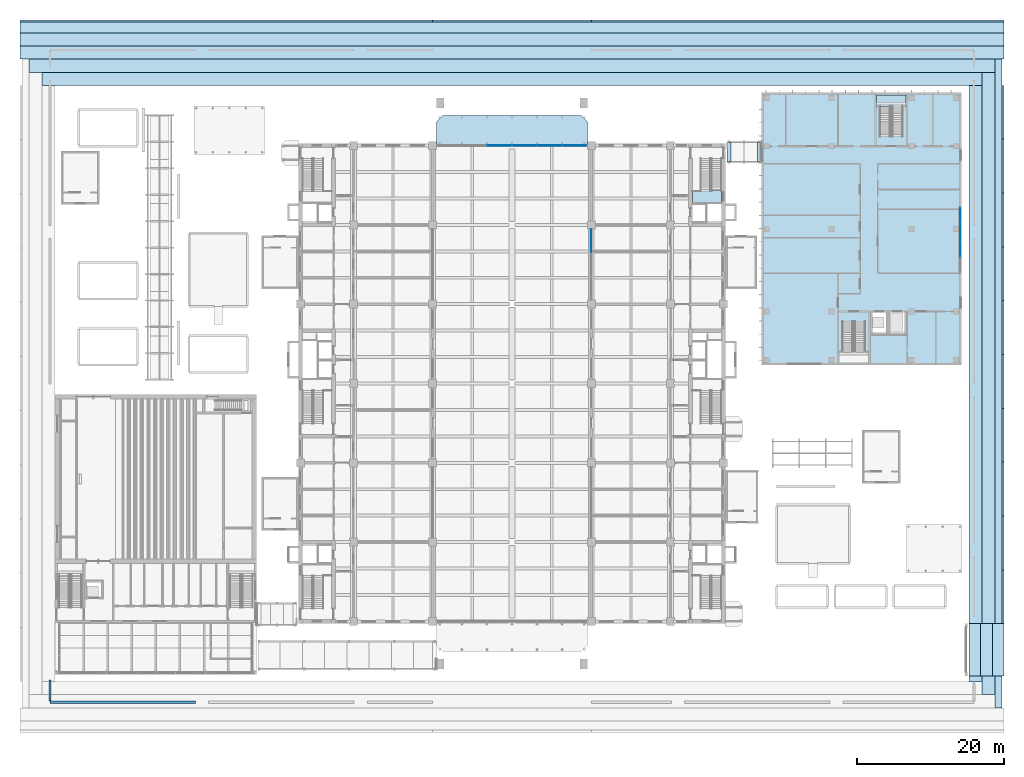
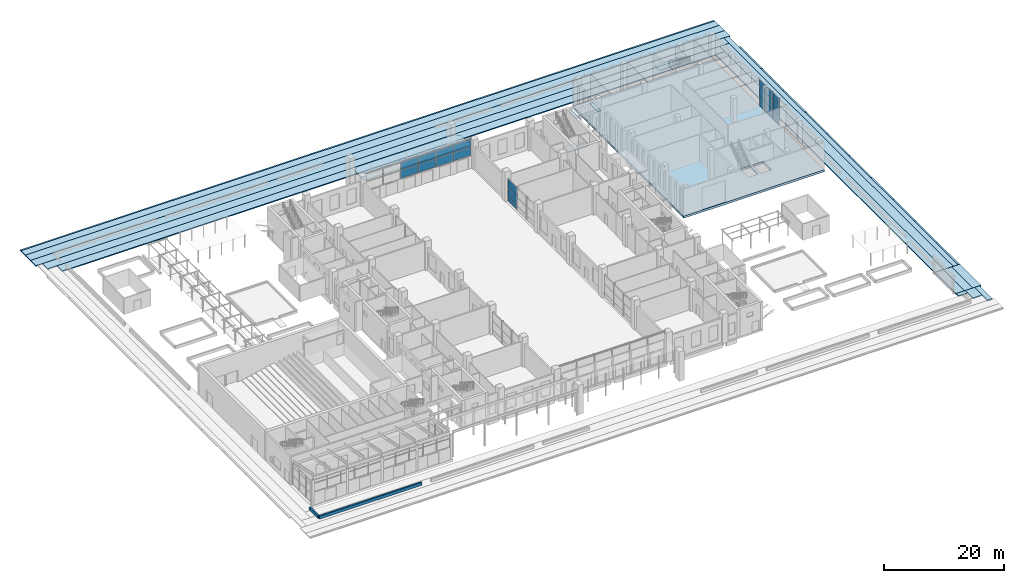
# One storey, part 44 of 71: 31 slabs, 22 plates, 2 walls, 5 elements without a shape of their own.
"""IFC4 building model written with IfcOpenShell, lengths in metres."""

from ifc_helpers import new_model, si_unit, direction, frame, frame_2d, origin, origin_2d, place, context, subcontext, project, spatial, polyline, rectangle, outline, extrude, material, layer, layer_set, type_object, element, aggregate, save


model = new_model("IFC4")

# Units and contexts
model_context = context("Model", 3, precision=1e-05, world=origin(), true_north=direction((0.0, 1.0)))
body_context = subcontext(model_context, "Body", "Model", "MODEL_VIEW")
ifc_project = project(units=[si_unit("LENGTHUNIT", "METRE"), si_unit("AREAUNIT", "SQUARE_METRE"), si_unit("VOLUMEUNIT", "CUBIC_METRE"), si_unit("PLANEANGLEUNIT", "RADIAN"), si_unit("MASSUNIT", "GRAM", prefix="KILO")], contexts=[model_context])

# Site, building, storey
site_placement = place(None, origin())
site = spatial("IfcSite", under=ifc_project, at=site_placement, CompositionType="ELEMENT")
building_placement = place(site_placement, origin())
building = spatial("IfcBuilding", under=site, at=building_placement, Name="Basin Gate Institute", CompositionType="ELEMENT")
storey_placement = place(building_placement, origin())
storey = spatial("IfcBuildingStorey", under=building, at=storey_placement, Name="L00", CompositionType="ELEMENT", Elevation=0.0)

# Curtain wall, plates
ifc_material_1 = material(Name="Aluminium and glass curtain wall", Category="aluminium")
ifc_layer_1 = layer(ifc_material_1, 0.14990234375)
ifc_layer_set_1 = layer_set([ifc_layer_1], Name="Atrium curtain wall CW81")
curtain_wall_type_1 = type_object("IfcCurtainWallType", Name="Atrium curtain wall CW81", PredefinedType="NOTDEFINED", material=ifc_layer_set_1)
curtain_wall_1_placement = place(storey_placement, origin())
curtain_wall_1 = element("IfcCurtainWall", 1, at=curtain_wall_1_placement, inside=storey, type_object=curtain_wall_type_1, material=ifc_layer_set_1, Name="Clean block viewing gallery glazing", PredefinedType="NOTDEFINED")
ifc_material_2 = material(Name="Toughened glass", Category="glass")
ifc_layer_2 = layer(ifc_material_2, 0.028076171875)
ifc_layer_set_2 = layer_set([ifc_layer_2], Name="Atrium glass panel PN81")
plate_type_1 = type_object("IfcPlateType", Name="Atrium glass panel PN81", PredefinedType="CURTAIN_PANEL", material=ifc_layer_set_2)
plate_1_placement = place(storey_placement, frame((151.050048828125, 85.875, 0.06005859375), z_axis=(0.0, 0.0, 1.0), x_axis=(0.0, 1.0, 0.0)))
plate_1 = element("IfcPlate", 2, at=plate_1_placement, type_object=plate_type_1, material=ifc_layer_set_2, Name="CW81 panel 2.1", PredefinedType="CURTAIN_PANEL", context=body_context, shape_type="SweptSolid", body=[
    extrude(rectangle(XDim=2.18994140625, YDim=0.028076171875, at=origin_2d()), origin(), (0.0, 0.0, 1.0), 1.909912109375),
])
plate_2_placement = place(storey_placement, frame((151.050048828125, 85.875, 2.030029296875), z_axis=(0.0, 0.0, 1.0), x_axis=(0.0, 1.0, 0.0)))
plate_2 = element("IfcPlate", 3, at=plate_2_placement, type_object=plate_type_1, material=ifc_layer_set_2, Name="CW81 panel 2.2", PredefinedType="CURTAIN_PANEL", context=body_context, shape_type="SweptSolid", body=[
    extrude(rectangle(XDim=2.18994140625, YDim=0.028076171875, at=origin_2d()), origin(), (0.0, 0.0, 1.0), 1.93994140625),
])
plate_3_placement = place(storey_placement, frame((151.050048828125, 85.875, 4.030029296875), z_axis=(0.0, 0.0, 1.0), x_axis=(0.0, 1.0, 0.0)))
plate_3 = element("IfcPlate", 4, at=plate_3_placement, type_object=plate_type_1, material=ifc_layer_set_2, Name="CW81 panel 2.3", PredefinedType="CURTAIN_PANEL", context=body_context, shape_type="SweptSolid", body=[
    extrude(rectangle(XDim=2.18994140625, YDim=0.028076171875, at=origin_2d()), origin(), (0.0, 0.0, 1.0), 1.4599609375),
])
plate_4_placement = place(storey_placement, frame((151.050048828125, 88.125, 0.06005859375), z_axis=(0.0, 0.0, 1.0), x_axis=(0.0, 1.0, 0.0)))
plate_4 = element("IfcPlate", 5, at=plate_4_placement, type_object=plate_type_1, material=ifc_layer_set_2, Name="CW81 panel 3.1", PredefinedType="CURTAIN_PANEL", context=body_context, shape_type="SweptSolid", body=[
    extrude(rectangle(XDim=2.18994140625, YDim=0.028076171875, at=origin_2d()), origin(), (0.0, 0.0, 1.0), 1.909912109375),
])
plate_5_placement = place(storey_placement, frame((151.050048828125, 88.125, 2.030029296875), z_axis=(0.0, 0.0, 1.0), x_axis=(0.0, 1.0, 0.0)))
plate_5 = element("IfcPlate", 6, at=plate_5_placement, type_object=plate_type_1, material=ifc_layer_set_2, Name="CW81 panel 3.2", PredefinedType="CURTAIN_PANEL", context=body_context, shape_type="SweptSolid", body=[
    extrude(rectangle(XDim=2.18994140625, YDim=0.028076171875, at=origin_2d()), origin(), (0.0, 0.0, 1.0), 1.93994140625),
])
plate_6_placement = place(storey_placement, frame((151.050048828125, 88.125, 4.030029296875), z_axis=(0.0, 0.0, 1.0), x_axis=(0.0, 1.0, 0.0)))
plate_6 = element("IfcPlate", 7, at=plate_6_placement, type_object=plate_type_1, material=ifc_layer_set_2, Name="CW81 panel 3.3", PredefinedType="CURTAIN_PANEL", context=body_context, shape_type="SweptSolid", body=[
    extrude(rectangle(XDim=2.18994140625, YDim=0.028076171875, at=origin_2d()), origin(), (0.0, 0.0, 1.0), 1.4599609375),
])
plate_7_placement = place(storey_placement, frame((151.050048828125, 90.360107421875, 0.06005859375), z_axis=(0.0, 0.0, 1.0), x_axis=(0.0, 1.0, 0.0)))
plate_7 = element("IfcPlate", 8, at=plate_7_placement, type_object=plate_type_1, material=ifc_layer_set_2, Name="CW81 panel 4.1", PredefinedType="CURTAIN_PANEL", context=body_context, shape_type="SweptSolid", body=[
    extrude(rectangle(XDim=2.159912109375, YDim=0.028076171875, at=origin_2d()), origin(), (0.0, 0.0, 1.0), 1.909912109375),
])
plate_8_placement = place(storey_placement, frame((151.050048828125, 90.360107421875, 2.030029296875), z_axis=(0.0, 0.0, 1.0), x_axis=(0.0, 1.0, 0.0)))
plate_8 = element("IfcPlate", 9, at=plate_8_placement, type_object=plate_type_1, material=ifc_layer_set_2, Name="CW81 panel 4.2", PredefinedType="CURTAIN_PANEL", context=body_context, shape_type="SweptSolid", body=[
    extrude(rectangle(XDim=2.159912109375, YDim=0.028076171875, at=origin_2d()), origin(), (0.0, 0.0, 1.0), 1.93994140625),
])
plate_9_placement = place(storey_placement, frame((151.050048828125, 90.360107421875, 4.030029296875), z_axis=(0.0, 0.0, 1.0), x_axis=(0.0, 1.0, 0.0)))
plate_9 = element("IfcPlate", 10, at=plate_9_placement, type_object=plate_type_1, material=ifc_layer_set_2, Name="CW81 panel 4.3", PredefinedType="CURTAIN_PANEL", context=body_context, shape_type="SweptSolid", body=[
    extrude(rectangle(XDim=2.159912109375, YDim=0.028076171875, at=origin_2d()), origin(), (0.0, 0.0, 1.0), 1.4599609375),
])
aggregate(curtain_wall_1, [plate_1, plate_2, plate_3, plate_4, plate_5, plate_6, plate_7, plate_8, plate_9])

curtain_wall_2_placement = place(storey_placement, origin())
curtain_wall_2 = element("IfcCurtainWall", 11, at=curtain_wall_2_placement, inside=storey, type_object=curtain_wall_type_1, material=ifc_layer_set_1, Name="Atrium end screen N L00", PredefinedType="NOTDEFINED")
plate_10_placement = place(storey_placement, frame((88.291748046875, 99.89990234375, 2.659912109375), z_axis=(0.0, 0.0, 1.0), x_axis=(1.0, 0.0, 0.0)))
plate_10 = element("IfcPlate", 12, at=plate_10_placement, type_object=plate_type_1, material=ifc_layer_set_2, Name="CW81 panel 3.1", PredefinedType="CURTAIN_PANEL", context=body_context, shape_type="SweptSolid", body=[
    extrude(rectangle(XDim=3.356689453125, YDim=0.028076171875, at=origin_2d()), origin(), (0.0, 0.0, 1.0), 1.7099609375),
])
plate_11_placement = place(storey_placement, frame((88.291748046875, 99.89990234375, 4.43017578125), z_axis=(0.0, 0.0, 1.0), x_axis=(1.0, 0.0, 0.0)))
plate_11 = element("IfcPlate", 13, at=plate_11_placement, type_object=plate_type_1, material=ifc_layer_set_2, Name="CW81 panel 3.2", PredefinedType="CURTAIN_PANEL", context=body_context, shape_type="SweptSolid", body=[
    extrude(rectangle(XDim=3.356689453125, YDim=0.028076171875, at=origin_2d()), origin(), (0.0, 0.0, 1.0), 1.510009765625),
])
plate_12_placement = place(storey_placement, frame((91.708251953125, 99.89990234375, 2.659912109375), z_axis=(0.0, 0.0, 1.0), x_axis=(1.0, 0.0, 0.0)))
plate_12 = element("IfcPlate", 14, at=plate_12_placement, type_object=plate_type_1, material=ifc_layer_set_2, Name="CW81 panel 4.1", PredefinedType="CURTAIN_PANEL", context=body_context, shape_type="SweptSolid", body=[
    extrude(rectangle(XDim=3.356689453125, YDim=0.028076171875, at=origin_2d()), origin(), (0.0, 0.0, 1.0), 1.7099609375),
])
plate_13_placement = place(storey_placement, frame((91.708251953125, 99.89990234375, 4.43017578125), z_axis=(0.0, 0.0, 1.0), x_axis=(1.0, 0.0, 0.0)))
plate_13 = element("IfcPlate", 15, at=plate_13_placement, type_object=plate_type_1, material=ifc_layer_set_2, Name="CW81 panel 4.2", PredefinedType="CURTAIN_PANEL", context=body_context, shape_type="SweptSolid", body=[
    extrude(rectangle(XDim=3.356689453125, YDim=0.028076171875, at=origin_2d()), origin(), (0.0, 0.0, 1.0), 1.510009765625),
])
plate_14_placement = place(storey_placement, frame((95.125, 99.89990234375, 2.659912109375), z_axis=(0.0, 0.0, 1.0), x_axis=(1.0, 0.0, 0.0)))
plate_14 = element("IfcPlate", 16, at=plate_14_placement, type_object=plate_type_1, material=ifc_layer_set_2, Name="CW81 panel 5.1", PredefinedType="CURTAIN_PANEL", context=body_context, shape_type="SweptSolid", body=[
    extrude(rectangle(XDim=3.356689453125, YDim=0.028076171875, at=origin_2d()), origin(), (0.0, 0.0, 1.0), 1.7099609375),
])
plate_15_placement = place(storey_placement, frame((95.125, 99.89990234375, 4.43017578125), z_axis=(0.0, 0.0, 1.0), x_axis=(1.0, 0.0, 0.0)))
plate_15 = element("IfcPlate", 17, at=plate_15_placement, type_object=plate_type_1, material=ifc_layer_set_2, Name="CW81 panel 5.2", PredefinedType="CURTAIN_PANEL", context=body_context, shape_type="SweptSolid", body=[
    extrude(rectangle(XDim=3.356689453125, YDim=0.028076171875, at=origin_2d()), origin(), (0.0, 0.0, 1.0), 1.510009765625),
])
plate_16_placement = place(storey_placement, frame((98.526611328125, 99.89990234375, 2.659912109375), z_axis=(0.0, 0.0, 1.0), x_axis=(1.0, 0.0, 0.0)))
plate_16 = element("IfcPlate", 18, at=plate_16_placement, type_object=plate_type_1, material=ifc_layer_set_2, Name="CW81 panel 6.1", PredefinedType="CURTAIN_PANEL", context=body_context, shape_type="SweptSolid", body=[
    extrude(rectangle(XDim=3.32666015625, YDim=0.028076171875, at=origin_2d()), origin(), (0.0, 0.0, 1.0), 1.7099609375),
])
plate_17_placement = place(storey_placement, frame((98.526611328125, 99.89990234375, 4.43017578125), z_axis=(0.0, 0.0, 1.0), x_axis=(1.0, 0.0, 0.0)))
plate_17 = element("IfcPlate", 19, at=plate_17_placement, type_object=plate_type_1, material=ifc_layer_set_2, Name="CW81 panel 6.2", PredefinedType="CURTAIN_PANEL", context=body_context, shape_type="SweptSolid", body=[
    extrude(rectangle(XDim=3.32666015625, YDim=0.028076171875, at=origin_2d()), origin(), (0.0, 0.0, 1.0), 1.510009765625),
])
aggregate(curtain_wall_2, [plate_10, plate_11, plate_12, plate_13, plate_14, plate_15, plate_16, plate_17])

# Stair, slab
ifc_material_3 = material(Name="Concrete 40 MPa", Category="concrete")
stair_type_1 = type_object("IfcStairType", Name="Block stair ST", PredefinedType="HALF_TURN_STAIR", material=ifc_material_3)
stair_1_placement = place(storey_placement, origin())
stair_1 = element("IfcStair", 20, at=stair_1_placement, inside=storey, type_object=stair_type_1, material=ifc_material_3, Name="Clean block stair ST-C5 L00", PredefinedType="HALF_TURN_STAIR")
ifc_material_4 = material(Name="Concrete 40 MPa", Category="concrete")
ifc_layer_3 = layer(ifc_material_4, 0.199951171875)
ifc_layer_set_3 = layer_set([ifc_layer_3], Name="Concrete 40 MPa")
slab_type_1 = type_object("IfcSlabType", Name="Block stair landing", PredefinedType="LANDING", material=ifc_layer_set_3)
slab_1_placement = place(storey_placement, frame((0.0, 0.0, 2.800048828125)))
slab_1 = element("IfcSlab", 21, at=slab_1_placement, type_object=slab_type_1, material=ifc_layer_set_3, Name="ST-C5 landing 1", PredefinedType="LANDING", context=body_context, shape_type="SweptSolid", body=[
    extrude(outline(polyline([(139.625, 105.1650390625), (143.675048828125, 105.1650390625), (143.675048828125, 106.800048828125), (139.625, 106.800048828125), (139.625, 105.1650390625)])), origin(), (0.0, 0.0, 1.0), 0.199951171875),
])
aggregate(stair_1, [slab_1])

# Slabs
ifc_material_5 = material(Name="Concrete 35 MPa", Category="concrete")
ifc_layer_4 = layer(ifc_material_5, 0.300048828125)
ifc_layer_set_4 = layer_set([ifc_layer_4], Name="Concrete 35 MPa")
slab_type_2 = type_object("IfcSlabType", Name="Driveway apron SL61", PredefinedType="FLOOR", material=ifc_layer_set_4)
slab_2_placement = place(storey_placement, frame((0.0, 0.0, -0.300048828125)))
element("IfcSlab", 22, at=slab_2_placement, inside=storey, type_object=slab_type_2, material=ifc_layer_set_4, Name="Driveway apron R1 bay 1", PredefinedType="FLOOR", context=body_context, shape_type="SweptSolid", body=[
    extrude(outline(polyline([(152.199951171875, 27.699951171875), (153.800048828125, 27.699951171875), (153.800048828125, 34.800048828125), (152.199951171875, 34.800048828125), (152.199951171875, 27.699951171875)])), origin(), (0.0, 0.0, 1.0), 0.300048828125),
])
slab_3_placement = place(storey_placement, frame((0.0, 0.0, -0.300048828125)))
element("IfcSlab", 23, at=slab_3_placement, inside=storey, type_object=slab_type_2, material=ifc_layer_set_4, Name="Driveway apron R1 bay 2", PredefinedType="FLOOR", context=body_context, shape_type="SweptSolid", body=[
    extrude(outline(polyline([(153.800048828125, 27.699951171875), (155.39990234375, 27.699951171875), (155.39990234375, 34.800048828125), (153.800048828125, 34.800048828125), (153.800048828125, 27.699951171875)])), origin(), (0.0, 0.0, 1.0), 0.300048828125),
])
slab_4_placement = place(storey_placement, frame((0.0, 0.0, -0.300048828125)))
element("IfcSlab", 24, at=slab_4_placement, inside=storey, type_object=slab_type_2, material=ifc_layer_set_4, Name="Driveway apron R1 bay 3", PredefinedType="FLOOR", context=body_context, shape_type="SweptSolid", body=[
    extrude(outline(polyline([(155.39990234375, 27.699951171875), (157.0, 27.699951171875), (157.0, 34.800048828125), (155.39990234375, 34.800048828125), (155.39990234375, 27.699951171875)])), origin(), (0.0, 0.0, 1.0), 0.300048828125),
])
ifc_material_6 = material(Name="Granite kerb 300 x 200", Category="masonry")
ifc_layer_5 = layer(ifc_material_6, 0.199951171875)
ifc_layer_set_5 = layer_set([ifc_layer_5], Name="Granite kerb strip KB1")
slab_type_3 = type_object("IfcSlabType", Name="Granite kerb strip KB1", PredefinedType="FLOOR", material=ifc_layer_set_5)
slab_5_placement = place(storey_placement, frame((0.0, 0.0, -0.199951171875)))
element("IfcSlab", 25, at=slab_5_placement, inside=storey, type_object=slab_type_3, material=ifc_layer_set_5, Name="Granite kerb strip N4", PredefinedType="FLOOR", context=body_context, shape_type="SweptSolid", body=[
    extrude(outline(polyline([(23.0, 116.699951171875), (23.0, 117.0), (79.199951171875, 117.0), (79.199951171875, 116.699951171875), (23.0, 116.699951171875)])), origin(), (0.0, 0.0, 1.0), 0.199951171875),
])
slab_6_placement = place(storey_placement, frame((0.0, 0.0, -0.199951171875)))
element("IfcSlab", 26, at=slab_6_placement, inside=storey, type_object=slab_type_3, material=ifc_layer_set_5, Name="Granite kerb strip N5", PredefinedType="FLOOR", context=body_context, shape_type="SweptSolid", body=[
    extrude(outline(polyline([(100.800048828125, 116.699951171875), (100.800048828125, 117.0), (157.0, 117.0), (157.0, 116.699951171875), (100.800048828125, 116.699951171875)])), origin(), (0.0, 0.0, 1.0), 0.199951171875),
])
slab_7_placement = place(storey_placement, frame((0.0, 0.0, -0.199951171875)))
element("IfcSlab", 27, at=slab_7_placement, inside=storey, type_object=slab_type_3, material=ifc_layer_set_5, Name="Granite kerb strip E19", PredefinedType="FLOOR", context=body_context, shape_type="SweptSolid", body=[
    extrude(outline(polyline([(156.699951171875, 34.800048828125), (156.699951171875, 42.1298828125), (157.0, 42.1298828125), (157.0, 34.800048828125), (156.699951171875, 34.800048828125)])), origin(), (0.0, 0.0, 1.0), 0.199951171875),
])
slab_8_placement = place(storey_placement, frame((0.0, 0.0, -0.199951171875)))
element("IfcSlab", 28, at=slab_8_placement, inside=storey, type_object=slab_type_3, material=ifc_layer_set_5, Name="Granite kerb strip E20", PredefinedType="FLOOR", context=body_context, shape_type="SweptSolid", body=[
    extrude(outline(polyline([(156.699951171875, 42.1298828125), (156.699951171875, 49.4599609375), (157.0, 49.4599609375), (157.0, 42.1298828125), (156.699951171875, 42.1298828125)])), origin(), (0.0, 0.0, 1.0), 0.199951171875),
])
slab_9_placement = place(storey_placement, frame((0.0, 0.0, -0.199951171875)))
element("IfcSlab", 29, at=slab_9_placement, inside=storey, type_object=slab_type_3, material=ifc_layer_set_5, Name="Granite kerb strip E21", PredefinedType="FLOOR", context=body_context, shape_type="SweptSolid", body=[
    extrude(outline(polyline([(156.699951171875, 49.4599609375), (156.699951171875, 56.7900390625), (157.0, 56.7900390625), (157.0, 49.4599609375), (156.699951171875, 49.4599609375)])), origin(), (0.0, 0.0, 1.0), 0.199951171875),
])
slab_10_placement = place(storey_placement, frame((0.0, 0.0, -0.199951171875)))
element("IfcSlab", 30, at=slab_10_placement, inside=storey, type_object=slab_type_3, material=ifc_layer_set_5, Name="Granite kerb strip E22", PredefinedType="FLOOR", context=body_context, shape_type="SweptSolid", body=[
    extrude(outline(polyline([(156.699951171875, 56.7900390625), (156.699951171875, 64.1201171875), (157.0, 64.1201171875), (157.0, 56.7900390625), (156.699951171875, 56.7900390625)])), origin(), (0.0, 0.0, 1.0), 0.199951171875),
])
slab_11_placement = place(storey_placement, frame((0.0, 0.0, -0.199951171875)))
element("IfcSlab", 31, at=slab_11_placement, inside=storey, type_object=slab_type_3, material=ifc_layer_set_5, Name="Granite kerb strip E23", PredefinedType="FLOOR", context=body_context, shape_type="SweptSolid", body=[
    extrude(outline(polyline([(156.699951171875, 64.1201171875), (156.699951171875, 71.449951171875), (157.0, 71.449951171875), (157.0, 64.1201171875), (156.699951171875, 64.1201171875)])), origin(), (0.0, 0.0, 1.0), 0.199951171875),
])
slab_12_placement = place(storey_placement, frame((0.0, 0.0, -0.199951171875)))
element("IfcSlab", 32, at=slab_12_placement, inside=storey, type_object=slab_type_3, material=ifc_layer_set_5, Name="Granite kerb strip E24", PredefinedType="FLOOR", context=body_context, shape_type="SweptSolid", body=[
    extrude(outline(polyline([(156.699951171875, 71.449951171875), (156.699951171875, 78.780029296875), (157.0, 78.780029296875), (157.0, 71.449951171875), (156.699951171875, 71.449951171875)])), origin(), (0.0, 0.0, 1.0), 0.199951171875),
])
slab_13_placement = place(storey_placement, frame((0.0, 0.0, -0.199951171875)))
element("IfcSlab", 33, at=slab_13_placement, inside=storey, type_object=slab_type_3, material=ifc_layer_set_5, Name="Granite kerb strip E25", PredefinedType="FLOOR", context=body_context, shape_type="SweptSolid", body=[
    extrude(outline(polyline([(156.699951171875, 78.780029296875), (156.699951171875, 86.110107421875), (157.0, 86.110107421875), (157.0, 78.780029296875), (156.699951171875, 78.780029296875)])), origin(), (0.0, 0.0, 1.0), 0.199951171875),
])
slab_14_placement = place(storey_placement, frame((0.0, 0.0, -0.199951171875)))
element("IfcSlab", 34, at=slab_14_placement, inside=storey, type_object=slab_type_3, material=ifc_layer_set_5, Name="Granite kerb strip E26", PredefinedType="FLOOR", context=body_context, shape_type="SweptSolid", body=[
    extrude(outline(polyline([(156.699951171875, 86.110107421875), (156.699951171875, 93.43994140625), (157.0, 93.43994140625), (157.0, 86.110107421875), (156.699951171875, 86.110107421875)])), origin(), (0.0, 0.0, 1.0), 0.199951171875),
])
slab_15_placement = place(storey_placement, frame((0.0, 0.0, -0.199951171875)))
element("IfcSlab", 35, at=slab_15_placement, inside=storey, type_object=slab_type_3, material=ifc_layer_set_5, Name="Granite kerb strip E27", PredefinedType="FLOOR", context=body_context, shape_type="SweptSolid", body=[
    extrude(outline(polyline([(156.699951171875, 93.43994140625), (156.699951171875, 100.77001953125), (157.0, 100.77001953125), (157.0, 93.43994140625), (156.699951171875, 93.43994140625)])), origin(), (0.0, 0.0, 1.0), 0.199951171875),
])
slab_16_placement = place(storey_placement, frame((0.0, 0.0, -0.199951171875)))
element("IfcSlab", 36, at=slab_16_placement, inside=storey, type_object=slab_type_3, material=ifc_layer_set_5, Name="Granite kerb strip E28", PredefinedType="FLOOR", context=body_context, shape_type="SweptSolid", body=[
    extrude(outline(polyline([(156.699951171875, 100.77001953125), (156.699951171875, 108.10009765625), (157.0, 108.10009765625), (157.0, 100.77001953125), (156.699951171875, 100.77001953125)])), origin(), (0.0, 0.0, 1.0), 0.199951171875),
])
ifc_material_7 = material(Name="Aluminium canopy roof panel", Category="aluminium")
ifc_layer_6 = layer(ifc_material_7, 0.14990234375)
ifc_layer_set_6 = layer_set([ifc_layer_6], Name="Main entrance canopy CN2")
slab_type_4 = type_object("IfcSlabType", Name="Main entrance canopy CN2", PredefinedType="ROOF", material=ifc_layer_set_6)
slab_17_placement = place(storey_placement, frame((0.0, 0.0, 4.5)))
element("IfcSlab", 37, at=slab_17_placement, inside=storey, type_object=slab_type_4, material=ifc_layer_set_6, Name="Main entrance canopy north", PredefinedType="ROOF", context=body_context, shape_type="SweptSolid", body=[
    extrude(outline(polyline([(79.75, 100.0), (100.25, 100.0), (100.25, 103.199951171875), (99.449951171875, 104.0), (80.550048828125, 104.0), (79.75, 103.199951171875), (79.75, 100.0)])), origin(), (0.0, 0.0, 1.0), 0.14990234375),
])

# Plates
ifc_material_8 = material(Name="Stainless steel sliding cover plate", Category="steel")
ifc_layer_7 = layer(ifc_material_8, 0.006103515625)
ifc_layer_set_7 = layer_set([ifc_layer_7], Name="Stainless steel sliding cover plate")
plate_type_2 = type_object("IfcPlateType", Name="Passage joint cover JC2", PredefinedType="SHEET", material=ifc_layer_set_7)
for number, where, z_axis, x_axis, name in (
    (38, (119.550048828125, 99.02490234375, 4.7939453125), (0.0, 0.0, 1.0), (1.0, 0.0, 0.0), "East court passage joint cover 1"),
    (39, (123.699951171875, 99.02490234375, 4.7939453125), (0.0, 0.0, 1.0), (1.0, 0.0, 0.0), "East court passage joint cover 2"),
):
    element("IfcPlate", number, at=place(storey_placement, frame(where, z_axis=z_axis, x_axis=x_axis)), inside=storey, type_object=plate_type_2, material=ifc_layer_set_7, Name=name, PredefinedType="SHEET", context=body_context, shape_type="SweptSolid", body=[
        extrude(rectangle(XDim=0.60009765625, YDim=2.75, at=origin_2d()), origin(), (0.0, 0.0, 1.0), 0.006103515625),
    ])

# Slabs
ifc_material_9 = material(Name="Concrete 35 MPa", Category="concrete")
ifc_layer_8 = layer(ifc_material_9, 0.199951171875)
ifc_layer_set_8 = layer_set([ifc_layer_8], Name="Concrete 35 MPa")
slab_type_5 = type_object("IfcSlabType", Name="Site paving slab SL62", PredefinedType="FLOOR", material=ifc_layer_set_8)
slab_18_placement = place(storey_placement, frame((0.0, 0.0, -0.199951171875)))
element("IfcSlab", 40, at=slab_18_placement, inside=storey, type_object=slab_type_5, material=ifc_layer_set_8, Name="Site paving slab 1N1", PredefinedType="FLOOR", context=body_context, shape_type="SweptSolid", body=[
    extrude(outline(polyline([(26.02001953125, 108.10009765625), (26.02001953125, 109.8798828125), (153.97998046875, 109.8798828125), (153.97998046875, 108.10009765625), (26.02001953125, 108.10009765625)])), origin(), (0.0, 0.0, 1.0), 0.199951171875),
])
slab_19_placement = place(storey_placement, frame((0.0, 0.0, -0.199951171875)))
element("IfcSlab", 41, at=slab_19_placement, inside=storey, type_object=slab_type_5, material=ifc_layer_set_8, Name="Site paving slab 1E1", PredefinedType="FLOOR", context=body_context, shape_type="SweptSolid", body=[
    extrude(outline(polyline([(152.199951171875, 26.89990234375), (152.199951171875, 27.699951171875), (153.97998046875, 27.699951171875), (153.97998046875, 26.89990234375), (152.199951171875, 26.89990234375)])), origin(), (0.0, 0.0, 1.0), 0.199951171875),
])
slab_20_placement = place(storey_placement, frame((0.0, 0.0, -0.199951171875)))
element("IfcSlab", 42, at=slab_20_placement, inside=storey, type_object=slab_type_5, material=ifc_layer_set_8, Name="Site paving slab 1E2", PredefinedType="FLOOR", context=body_context, shape_type="SweptSolid", body=[
    extrude(outline(polyline([(152.199951171875, 34.800048828125), (152.199951171875, 108.10009765625), (153.97998046875, 108.10009765625), (153.97998046875, 34.800048828125), (152.199951171875, 34.800048828125)])), origin(), (0.0, 0.0, 1.0), 0.199951171875),
])
slab_21_placement = place(storey_placement, frame((0.0, 0.0, -0.199951171875)))
element("IfcSlab", 43, at=slab_21_placement, inside=storey, type_object=slab_type_5, material=ifc_layer_set_8, Name="Site paving slab 2N1", PredefinedType="FLOOR", context=body_context, shape_type="SweptSolid", body=[
    extrude(outline(polyline([(24.239990234375, 109.8798828125), (24.239990234375, 111.659912109375), (155.760009765625, 111.659912109375), (155.760009765625, 109.8798828125), (24.239990234375, 109.8798828125)])), origin(), (0.0, 0.0, 1.0), 0.199951171875),
])
slab_22_placement = place(storey_placement, frame((0.0, 0.0, -0.199951171875)))
element("IfcSlab", 44, at=slab_22_placement, inside=storey, type_object=slab_type_5, material=ifc_layer_set_8, Name="Site paving slab 2E1", PredefinedType="FLOOR", context=body_context, shape_type="SweptSolid", body=[
    extrude(outline(polyline([(153.97998046875, 25.1201171875), (153.97998046875, 27.699951171875), (155.760009765625, 27.699951171875), (155.760009765625, 25.1201171875), (153.97998046875, 25.1201171875)])), origin(), (0.0, 0.0, 1.0), 0.199951171875),
])
slab_23_placement = place(storey_placement, frame((0.0, 0.0, -0.199951171875)))
element("IfcSlab", 45, at=slab_23_placement, inside=storey, type_object=slab_type_5, material=ifc_layer_set_8, Name="Site paving slab 2E2", PredefinedType="FLOOR", context=body_context, shape_type="SweptSolid", body=[
    extrude(outline(polyline([(153.97998046875, 34.800048828125), (153.97998046875, 109.8798828125), (155.760009765625, 109.8798828125), (155.760009765625, 34.800048828125), (153.97998046875, 34.800048828125)])), origin(), (0.0, 0.0, 1.0), 0.199951171875),
])
slab_24_placement = place(storey_placement, frame((0.0, 0.0, -0.199951171875)))
element("IfcSlab", 46, at=slab_24_placement, inside=storey, type_object=slab_type_5, material=ifc_layer_set_8, Name="Site paving slab 3N1", PredefinedType="FLOOR", context=body_context, shape_type="SweptSolid", body=[
    extrude(outline(polyline([(23.0, 111.659912109375), (23.0, 113.43994140625), (157.0, 113.43994140625), (157.0, 111.659912109375), (23.0, 111.659912109375)])), origin(), (0.0, 0.0, 1.0), 0.199951171875),
])
slab_25_placement = place(storey_placement, frame((0.0, 0.0, -0.199951171875)))
element("IfcSlab", 47, at=slab_25_placement, inside=storey, type_object=slab_type_5, material=ifc_layer_set_8, Name="Site paving slab 3E1", PredefinedType="FLOOR", context=body_context, shape_type="SweptSolid", body=[
    extrude(outline(polyline([(155.760009765625, 23.340087890625), (155.760009765625, 27.699951171875), (156.699951171875, 27.699951171875), (156.699951171875, 23.340087890625), (155.760009765625, 23.340087890625)])), origin(), (0.0, 0.0, 1.0), 0.199951171875),
])
slab_26_placement = place(storey_placement, frame((0.0, 0.0, -0.199951171875)))
element("IfcSlab", 48, at=slab_26_placement, inside=storey, type_object=slab_type_5, material=ifc_layer_set_8, Name="Site paving slab 3E2", PredefinedType="FLOOR", context=body_context, shape_type="SweptSolid", body=[
    extrude(outline(polyline([(155.760009765625, 34.800048828125), (155.760009765625, 111.659912109375), (156.699951171875, 111.659912109375), (156.699951171875, 34.800048828125), (155.760009765625, 34.800048828125)])), origin(), (0.0, 0.0, 1.0), 0.199951171875),
])
slab_27_placement = place(storey_placement, frame((0.0, 0.0, -0.199951171875)))
element("IfcSlab", 49, at=slab_27_placement, inside=storey, type_object=slab_type_5, material=ifc_layer_set_8, Name="Site paving slab 4N1", PredefinedType="FLOOR", context=body_context, shape_type="SweptSolid", body=[
    extrude(outline(polyline([(23.0, 113.43994140625), (23.0, 115.219970703125), (157.0, 115.219970703125), (157.0, 113.43994140625), (23.0, 113.43994140625)])), origin(), (0.0, 0.0, 1.0), 0.199951171875),
])
slab_28_placement = place(storey_placement, frame((0.0, 0.0, -0.199951171875)))
element("IfcSlab", 50, at=slab_28_placement, inside=storey, type_object=slab_type_5, material=ifc_layer_set_8, Name="Site paving slab 5N1", PredefinedType="FLOOR", context=body_context, shape_type="SweptSolid", body=[
    extrude(outline(polyline([(23.0, 115.219970703125), (23.0, 116.699951171875), (157.0, 116.699951171875), (157.0, 115.219970703125), (23.0, 115.219970703125)])), origin(), (0.0, 0.0, 1.0), 0.199951171875),
])
ifc_material_10 = material(Name="Concrete 40 MPa", Category="concrete")
ifc_layer_9 = layer(ifc_material_10, 0.449951171875)
ifc_layer_set_9 = layer_set([ifc_layer_9], Name="Concrete 40 MPa")
slab_type_6 = type_object("IfcSlabType", Name="Slab SL2 R180", PredefinedType="FLOOR", material=ifc_layer_set_9)
slab_29_placement = place(storey_placement, frame((0.0, 0.0, -0.449951171875)))
element("IfcSlab", 51, at=slab_29_placement, inside=storey, type_object=slab_type_6, material=ifc_layer_set_9, Name="Clean block floor slab R180 L00", PredefinedType="FLOOR", context=body_context, shape_type="SweptSolid", body=[
    extrude(outline(polyline([(124.0, 107.10009765625), (124.0, 70.0), (151.199951171875, 70.0), (151.199951171875, 107.10009765625), (124.0, 107.10009765625)]), holes=[polyline([(139.074951171875, 74.425048828125), (139.074951171875, 77.175048828125), (140.97509765625, 77.175048828125), (140.97509765625, 74.425048828125), (139.074951171875, 74.425048828125)]), polyline([(141.47509765625, 74.425048828125), (141.47509765625, 77.175048828125), (143.47509765625, 77.175048828125), (143.47509765625, 74.425048828125), (141.47509765625, 74.425048828125)])]), origin(), (0.0, 0.0, 1.0), 0.449951171875),
])

# Curtain wall, plates
ifc_material_11 = material(Name="Fire-resistant glazing in steel-free frame", Category="steel")
ifc_layer_10 = layer(ifc_material_11, 0.199951171875)
ifc_layer_set_10 = layer_set([ifc_layer_10], Name="Fire-resistant glazing in steel-free frame")
curtain_wall_type_2 = type_object("IfcCurtainWallType", Name="Atrium rated curtain wall CW3", PredefinedType="NOTDEFINED", material=ifc_layer_set_10)
curtain_wall_3_placement = place(storey_placement, origin())
curtain_wall_3 = element("IfcCurtainWall", 52, at=curtain_wall_3_placement, inside=storey, type_object=curtain_wall_type_2, material=ifc_layer_set_10, Name="Atrium rated curtain wall E wing atrium bay 5 L00", PredefinedType="NOTDEFINED")
ifc_material_12 = material(Name="Fire-resisting board panel")
ifc_layer_11 = layer(ifc_material_12, 0.050048828125)
ifc_layer_set_11 = layer_set([ifc_layer_11], Name="Spandrel panel PN4")
plate_type_3 = type_object("IfcPlateType", Name="Spandrel panel PN4", PredefinedType="CURTAIN_PANEL", material=ifc_layer_set_11)
plate_18_placement = place(storey_placement, frame((100.800048828125, 86.918212890625, 0.06005859375), z_axis=(0.0, 0.0, 1.0), x_axis=(0.0, 1.0, 0.0)))
plate_18 = element("IfcPlate", 53, at=plate_18_placement, type_object=plate_type_3, material=ifc_layer_set_11, Name="CW3 spandrel panel 3.1", PredefinedType="CURTAIN_PANEL", context=body_context, shape_type="SweptSolid", body=[
    extrude(rectangle(XDim=3.143310546875, YDim=0.050048828125, at=origin_2d()), origin(), (0.0, 0.0, 1.0), 0.81005859375),
])
plate_19_placement = place(storey_placement, frame((100.800048828125, 86.918212890625, 2.72998046875), z_axis=(0.0, 0.0, 1.0), x_axis=(0.0, 1.0, 0.0)))
plate_19 = element("IfcPlate", 54, at=plate_19_placement, type_object=plate_type_3, material=ifc_layer_set_11, Name="CW3 spandrel panel 3.3", PredefinedType="CURTAIN_PANEL", context=body_context, shape_type="SweptSolid", body=[
    extrude(rectangle(XDim=3.143310546875, YDim=0.050048828125, at=origin_2d()), origin(), (0.0, 0.0, 1.0), 1.81005859375),
])

# Stair, slab
ifc_material_13 = material(Name="Concrete 40 MPa", Category="concrete")
stair_type_2 = type_object("IfcStairType", Name="Stair ST", PredefinedType="HALF_TURN_STAIR", material=ifc_material_13)
stair_2_placement = place(storey_placement, origin())
stair_2 = element("IfcStair", 55, at=stair_2_placement, inside=storey, type_object=stair_type_2, material=ifc_material_13, Name="Special safe stair ST-EN L00", PredefinedType="HALF_TURN_STAIR")
ifc_material_14 = material(Name="Concrete 40 MPa", Category="concrete")
ifc_layer_12 = layer(ifc_material_14, 0.199951171875)
ifc_layer_set_12 = layer_set([ifc_layer_12], Name="Concrete 40 MPa")
slab_type_7 = type_object("IfcSlabType", Name="Stair landing LN REI 180", PredefinedType="LANDING", material=ifc_layer_set_12)
slab_30_placement = place(storey_placement, frame((0.0, 0.0, 2.800048828125)))
slab_30 = element("IfcSlab", 56, at=slab_30_placement, type_object=slab_type_7, material=ifc_layer_set_12, Name="Stair landing ST-EN-L1 L00", PredefinedType="LANDING", context=body_context, shape_type="SweptSolid", body=[
    extrude(outline(polyline([(118.550048828125, 93.7900390625), (114.550048828125, 93.7900390625), (114.550048828125, 92.14990234375), (118.550048828125, 92.14990234375), (118.550048828125, 93.7900390625)])), origin(), (0.0, 0.0, 1.0), 0.199951171875),
])
aggregate(stair_2, [slab_30])

# Slab
ifc_material_15 = material(Name="Tactile concrete paving", Category="concrete")
ifc_layer_13 = layer(ifc_material_15, 0.199951171875)
ifc_layer_set_13 = layer_set([ifc_layer_13], Name="Tactile concrete paving")
slab_type_8 = type_object("IfcSlabType", Name="Tactile paving strip TP1", PredefinedType="FLOOR", material=ifc_layer_set_13)
slab_31_placement = place(storey_placement, frame((0.0, 0.0, -0.199951171875)))
element("IfcSlab", 57, at=slab_31_placement, inside=storey, type_object=slab_type_8, material=ifc_layer_set_13, Name="Tactile paving strip N6", PredefinedType="FLOOR", context=body_context, shape_type="SweptSolid", body=[
    extrude(outline(polyline([(79.199951171875, 116.699951171875), (79.199951171875, 117.0), (100.800048828125, 117.0), (100.800048828125, 116.699951171875), (79.199951171875, 116.699951171875)])), origin(), (0.0, 0.0, 1.0), 0.199951171875),
])

# Plate
ifc_material_16 = material(Name="Fire-resistant glazing", Category="glass")
ifc_layer_14 = layer(ifc_material_16, 0.0400390625)
ifc_layer_set_14 = layer_set([ifc_layer_14], Name="Vision panel PN3")
plate_type_4 = type_object("IfcPlateType", Name="Vision panel PN3", PredefinedType="CURTAIN_PANEL", material=ifc_layer_set_14)
plate_20_placement = place(storey_placement, frame((100.800048828125, 86.918212890625, 0.93017578125), z_axis=(0.0, 0.0, 1.0), x_axis=(0.0, 1.0, 0.0)))
plate_20 = element("IfcPlate", 58, at=plate_20_placement, type_object=plate_type_4, material=ifc_layer_set_14, Name="CW3 vision panel 3.2", PredefinedType="CURTAIN_PANEL", context=body_context, shape_type="SweptSolid", body=[
    extrude(rectangle(XDim=3.143310546875, YDim=0.0400390625, at=origin_2d()), origin(), (0.0, 0.0, 1.0), 1.739990234375),
])

aggregate(curtain_wall_3, [plate_18, plate_20, plate_19])

# Walls
ifc_material_17 = material(Name="Concrete 35 MPa", Category="concrete")
ifc_layer_15 = layer(ifc_material_17, 0.300048828125)
ifc_layer_set_15 = layer_set([ifc_layer_15], Name="Concrete 35 MPa")
wall_type = type_object("IfcWallType", Name="Edge planter wall PL2", PredefinedType="SOLIDWALL", material=ifc_layer_set_15)
wall_1_placement = place(storey_placement, frame((27.090087890625, 24.090087890625, 0.0), z_axis=(0.0, 0.0, 1.0), x_axis=(1.0, 0.0, 0.0)))
element("IfcWall", 59, at=wall_1_placement, inside=storey, type_object=wall_type, material=ifc_layer_set_15, Name="Edge planter wall S1", PredefinedType="SOLIDWALL", context=body_context, shape_type="SweptSolid", body=[
    extrude(rectangle(XDim=19.7998046875, YDim=0.300048828125, at=frame_2d((9.89990234375, 0.0))), origin(), (0.0, 0.0, 1.0), 0.60009765625),
])
wall_2_placement = place(storey_placement, frame((27.090087890625, 24.239990234375, 0.0), z_axis=(0.0, 0.0, 1.0), x_axis=(0.0, 1.0, 0.0)))
element("IfcWall", 60, at=wall_2_placement, inside=storey, type_object=wall_type, material=ifc_layer_set_15, Name="Edge planter wall W13", PredefinedType="SOLIDWALL", context=body_context, shape_type="SweptSolid", body=[
    extrude(rectangle(XDim=2.856201171875, YDim=0.300048828125, at=frame_2d((1.42822265625, 0.0))), origin(), (0.0, 0.0, 1.0), 0.60009765625),
])

save(model, "model.ifc")
